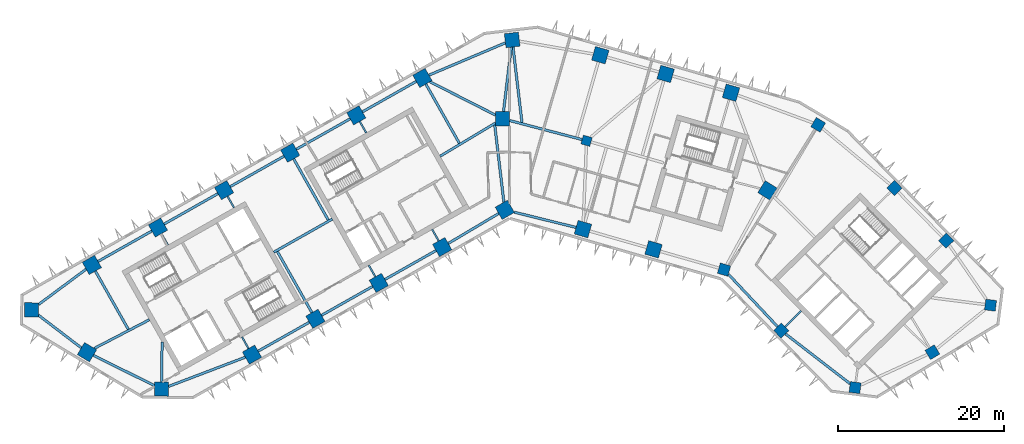
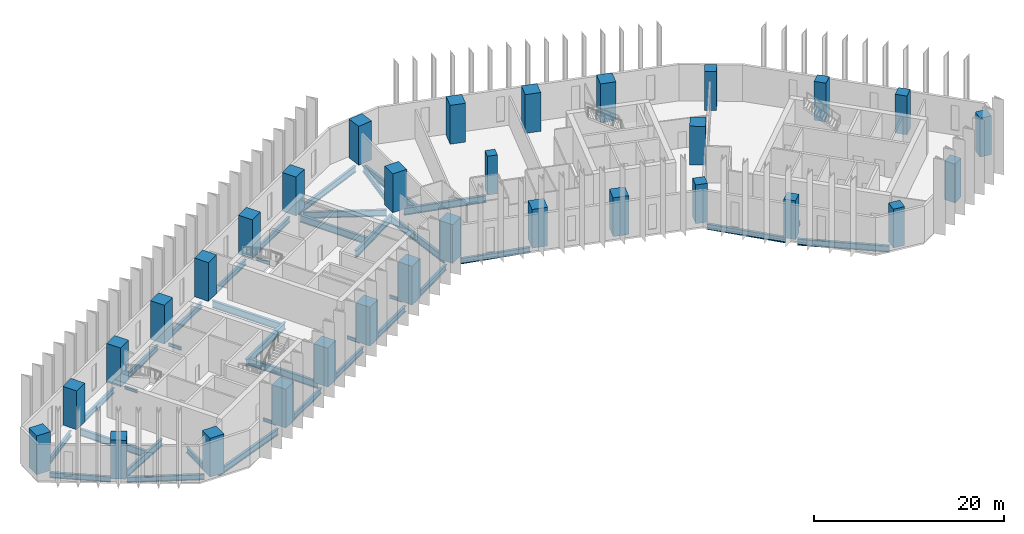
# One storey, part 1 of 11: 37 beams, 31 columns.
"""IFC4 building model written with IfcOpenShell, lengths in metres."""

import ifcopenshell
import ifcopenshell.guid

model = None  # the IFC model being written
_history = None  # IfcOwnerHistory: only IFC2X3 demands one
_inside = {}  # id of a spatial element -> (the spatial element, [elements in it])
_under = {}  # id of a project, library or spatial element -> (it, [spatial elements below it])
_declared = {}  # id of a project -> (the project, [libraries it declares])
_typed = {}  # id of a type object -> (the type object, [elements of that type])
_made_of = {}  # id of a material, layer set ... -> (it, [elements and type objects made of it])


def new_model(schema):
    """Start an empty IFC model of exactly this schema.

    Asked for "IFC4X3", IfcOpenShell would pick the latest addendum, in which some entities
    have other attributes; the version numbers below select the first issue.
    IFC2X3 requires an IfcOwnerHistory on every rooted entity: one is made here for all.
    """
    global model, _history
    if schema == "IFC4X3":
        model = ifcopenshell.file(schema_version=(4, 3, 0, 0))
    else:
        model = ifcopenshell.file(schema=schema)
    _inside.clear()
    _under.clear()
    _declared.clear()
    _typed.clear()
    _made_of.clear()
    _history = None
    if model.schema == "IFC2X3":
        org = make("IfcOrganization", Name="unknown")
        user = make(
            "IfcPersonAndOrganization",
            ThePerson=make("IfcPerson", FamilyName="unknown"),
            TheOrganization=org,
        )
        app = make(
            "IfcApplication",
            ApplicationDeveloper=org,
            Version="unknown",
            ApplicationFullName="unknown",
            ApplicationIdentifier="unknown",
        )
        _history = make(
            "IfcOwnerHistory",
            OwningUser=user,
            OwningApplication=app,
            ChangeAction="ADDED",
            CreationDate=0,
        )
    return model


def make(cls, **values):
    """One entity of the class cls with the attributes given. An attribute that is None is left unset."""
    return model.create_entity(
        cls, **{name: value for name, value in values.items() if value is not None}
    )


def rooted(cls, **values):
    """An entity with a GlobalId (a new one), such as an element, a storey or a relation."""
    return make(cls, GlobalId=ifcopenshell.guid.new(), OwnerHistory=_history, **values)


def si_unit(unit_type, name, prefix=None):
    """IfcSIUnit, for example si_unit("LENGTHUNIT", "METRE", prefix="MILLI")."""
    return make("IfcSIUnit", UnitType=unit_type, Prefix=prefix, Name=name)


def assignment(units):
    """IfcUnitAssignment: the units of a project."""
    return None if units is None else make("IfcUnitAssignment", Units=units)


def point(xyz):
    """IfcCartesianPoint."""
    return None if xyz is None else make("IfcCartesianPoint", Coordinates=xyz)


def direction(xyz):
    """IfcDirection."""
    return None if xyz is None else make("IfcDirection", DirectionRatios=xyz)


def frame(location, z_axis=None, x_axis=None):
    """IfcAxis2Placement3D, a coordinate frame: its origin and axes. An axis left out is left unset."""
    return make(
        "IfcAxis2Placement3D",
        Location=point(location),
        Axis=direction(z_axis),
        RefDirection=direction(x_axis),
    )


def frame_2d(location, x_axis=None):
    """IfcAxis2Placement2D, a coordinate frame in the plane: its origin and x axis."""
    return make(
        "IfcAxis2Placement2D", Location=point(location), RefDirection=direction(x_axis)
    )


def origin():
    """The frame at (0, 0, 0) with its axes left unset."""
    return frame((0.0, 0.0, 0.0))


def origin_2d():
    """The frame at (0, 0) in the plane with its x axis left unset."""
    return frame_2d((0.0, 0.0))


def place(relative_to, where):
    """IfcLocalPlacement: puts the frame where relative to a parent placement (None: the world)."""
    return make(
        "IfcLocalPlacement", PlacementRelTo=relative_to, RelativePlacement=where
    )


def context(
    kind, dimensions, precision=None, world=None, true_north=None, identifier=None
):
    """IfcGeometricRepresentationContext, for example the 3D "Model" context."""
    return make(
        "IfcGeometricRepresentationContext",
        ContextIdentifier=identifier,
        ContextType=kind,
        CoordinateSpaceDimension=dimensions,
        Precision=precision,
        WorldCoordinateSystem=world,
        TrueNorth=true_north,
    )


def subcontext(parent, identifier, kind, view, scale=None):
    """IfcGeometricRepresentationSubContext, for example "Body" below "Model"."""
    return make(
        "IfcGeometricRepresentationSubContext",
        ContextIdentifier=identifier,
        ContextType=kind,
        ParentContext=parent,
        TargetScale=scale,
        TargetView=view,
    )


def project(units=None, contexts=None):
    """IfcProject with its units and contexts."""
    return rooted(
        "IfcProject",
        Name="project",
        RepresentationContexts=contexts,
        UnitsInContext=assignment(units),
    )


def spatial(cls, under=None, at=None, **own):
    """A site, building, storey or space (cls), placed at a placement, below another one or the project."""
    s = rooted(cls, ObjectPlacement=at, **own)
    if under is not None:
        _under.setdefault(under.id(), (under, []))[1].append(s)
    return s


def profile(cls, at=None, kind="AREA", **sizes):
    """A parametric profile (cls). Its sizes go by their IFC names, for example OverallWidth=200.0."""
    return make(cls, ProfileType=kind, Position=at, **sizes)


def rectangle(**sizes):
    """IfcRectangleProfileDef."""
    return profile("IfcRectangleProfileDef", **sizes)


def i_section(**sizes):
    """IfcIShapeProfileDef."""
    return profile("IfcIShapeProfileDef", **sizes)


def extrude(swept, where, along, depth):
    """IfcExtrudedAreaSolid: the profile swept, set in the frame where, extruded along a direction by depth."""
    return make(
        "IfcExtrudedAreaSolid",
        SweptArea=swept,
        Position=where,
        ExtrudedDirection=direction(along),
        Depth=depth,
    )


def shape(context_of_items, identifier, shape_type, items):
    """IfcShapeRepresentation: the items that make up one representation, for example the "Body"."""
    return make(
        "IfcShapeRepresentation",
        ContextOfItems=context_of_items,
        RepresentationIdentifier=identifier,
        RepresentationType=shape_type,
        Items=items,
    )


def material(Name=None, Category=None):
    """IfcMaterial."""
    return make("IfcMaterial", Name=Name, Category=Category)


def material_profile(
    of_material, cross_section, Name=None, Category=None, Priority=None
):
    """IfcMaterialProfile: a cross section and its material."""
    return make(
        "IfcMaterialProfile",
        Name=Name,
        Material=of_material,
        Profile=cross_section,
        Priority=Priority,
        Category=Category,
    )


def profile_set(profiles, Name=None, composite=None):
    """IfcMaterialProfileSet."""
    return make(
        "IfcMaterialProfileSet",
        Name=Name,
        MaterialProfiles=profiles,
        CompositeProfile=composite,
    )


def made_of(thing, what):
    """Note that an element or type object is made of a material, layer set ...; save() writes the relation."""
    if what is not None:
        _made_of.setdefault(what.id(), (what, []))[1].append(thing)
    return thing


def type_object(cls, material=None, **own):
    """A type object (cls), such as IfcWallType, which elements share."""
    return made_of(rooted(cls, **own), material)


def element(
    cls,
    number,
    at=None,
    inside=None,
    cuts=None,
    type_object=None,
    material=None,
    context=None,
    identifier="Body",
    shape_type=None,
    held_by="IfcProductDefinitionShape",
    body=None,
    shapes=None,
    **own,
):
    """One element of the class cls, such as IfcWall. Its Tag is "e" and its number.

    at: its placement. inside: the storey or other place that contains it. cuts: it is an
    opening in that element (IfcRelVoidsElement). A single representation is given by context,
    identifier, shape_type and body (its items); several are given by shapes. held_by: the class
    of the entity that holds the representations. save() writes the other relations.
    """
    e = rooted(cls, Tag="e%d" % number, ObjectPlacement=at, **own)
    if body is not None:
        shapes = [shape(context, identifier, shape_type, body)]
    if shapes is not None:
        e.Representation = make(held_by, Representations=shapes)
    if inside is not None:
        _inside.setdefault(inside.id(), (inside, []))[1].append(e)
    if cuts is not None:
        rooted(
            "IfcRelVoidsElement", RelatingBuildingElement=cuts, RelatedOpeningElement=e
        )
    if type_object is not None:
        _typed.setdefault(type_object.id(), (type_object, []))[1].append(e)
    return made_of(e, material)


def aggregate(whole, parts):
    """IfcRelAggregates: a whole, such as a stair, and the parts it consists of."""
    return rooted("IfcRelAggregates", RelatingObject=whole, RelatedObjects=parts)


def save(model, path):
    """Write the relations noted so far, then the file.

    IfcRelAggregates (storeys below a building ...), IfcRelContainedInSpatialStructure (elements
    in a storey), IfcRelDefinesByType, IfcRelAssociatesMaterial and IfcRelDeclares: one each for
    every whole, place, type object, material and project.
    """
    for whole, parts in _under.values():
        aggregate(whole, parts)
    for where, things in _inside.values():
        rooted(
            "IfcRelContainedInSpatialStructure",
            RelatedElements=things,
            RelatingStructure=where,
        )
    for kind, things in _typed.values():
        rooted("IfcRelDefinesByType", RelatedObjects=things, RelatingType=kind)
    for what, things in _made_of.values():
        rooted("IfcRelAssociatesMaterial", RelatedObjects=things, RelatingMaterial=what)
    for by, libraries in _declared.values():
        rooted("IfcRelDeclares", RelatingContext=by, RelatedDefinitions=libraries)
    model.write(path)


model = new_model("IFC4")

# Units and contexts
model_context = context("Model", 3, precision=1e-05, world=origin(), true_north=direction((0.0, 1.0)))
body_context = subcontext(model_context, "Body", "Model", "MODEL_VIEW")
ifc_project = project(units=[si_unit("LENGTHUNIT", "METRE"), si_unit("AREAUNIT", "SQUARE_METRE"), si_unit("VOLUMEUNIT", "CUBIC_METRE"), si_unit("PLANEANGLEUNIT", "RADIAN"), si_unit("MASSUNIT", "GRAM", prefix="KILO")], contexts=[model_context])

# Site, building, storey
site_placement = place(None, origin())
site = spatial("IfcSite", under=ifc_project, at=site_placement, CompositionType="ELEMENT")
building_placement = place(site_placement, origin())
building = spatial("IfcBuilding", under=site, at=building_placement, Name="Binnacle Exchange Tower", CompositionType="ELEMENT")
storey_placement = place(building_placement, frame((0.0, 0.0, 76.5)))
storey = spatial("IfcBuildingStorey", under=building, at=storey_placement, Name="L15", CompositionType="ELEMENT", Elevation=76.5)

# Columns
ifc_material_1 = material(Name="Concrete C60/75", Category="concrete")
ifc_material_profile_1 = material_profile(ifc_material_1, rectangle(XDim=1.10009765625, YDim=1.10009765625, at=origin_2d()), Name="Column 1100x1100 C60/75")
ifc_profile_set_1 = profile_set([ifc_material_profile_1], Name="Concrete C60/75")
column_type_1 = type_object("IfcColumnType", Name="Column 1100x1100 C60/75", PredefinedType="COLUMN", material=ifc_profile_set_1)
column_placement = place(storey_placement, frame((9.240966796875, 57.35009765625, 0.0), z_axis=(0.0, 0.0, 1.0), x_axis=(0.961261695938, -0.275637355817, 0.0)))
element("IfcColumn", 1, at=column_placement, inside=storey, type_object=column_type_1, Name="S:COL:C19:L15", PredefinedType="COLUMN", context=body_context, shape_type="SweptSolid", body=[
    extrude(rectangle(XDim=1.10009765625, YDim=1.10009765625, at=origin_2d()), origin(), (0.0, 0.0, 1.0), 5.0),
])
ifc_material_2 = material(Name="Concrete C70/85", Category="concrete")
ifc_material_profile_2 = material_profile(ifc_material_2, rectangle(XDim=1.300048828125, YDim=1.300048828125, at=origin_2d()), Name="Mega column 1300x1300 C70/85")
ifc_profile_set_2 = profile_set([ifc_material_profile_2], Name="Concrete C70/85")
column_type_2 = type_object("IfcColumnType", Name="Mega column 1300x1300 C70/85", PredefinedType="COLUMN", material=ifc_profile_set_2)
for number, where, z_axis, x_axis, name in (
    (2, (37.0849609375, 59.262451171875, 0.0), (0.0, 0.0, 1.0), (-0.859406411501, 0.511293086077, 0.0), "S:COL:MC57:L15"),
    (3, (25.766845703125, 41.85986328125, 0.0), (0.0, 0.0, 1.0), (0.961261695938, -0.275637355817, 0.0), "S:COL:MC56:L15"),
    (4, (32.64111328125, 34.530029296875, 0.0), (0.0, 0.0, 1.0), (0.7009092643, -0.713250449154, 0.0), "S:COL:MC59:L15"),
    (5, (41.519775390625, 27.6748046875, 0.0), (0.0, 0.0, 1.0), (0.99200494968, -0.126198969136, 0.0), "S:COL:MC61:L15"),
    (6, (50.81201171875, 31.930908203125, 0.0), (0.0, 0.0, 1.0), (0.857167300702, 0.51503807491, 0.0), "S:COL:MC63:L15"),
    (7, (57.799072265625, 37.5810546875, 0.0), (0.0, 0.0, 1.0), (0.126198969136, 0.99200494968, 0.0), "S:COL:MC62:L15"),
    (8, (52.466796875, 45.33935546875, 0.0), (0.0, 0.0, 1.0), (-0.7009092643, 0.713250449154, 0.0), "S:COL:MC60:L15"),
    (9, (46.248291015625, 51.667236328125, 0.0), (0.0, 0.0, 1.0), (-0.7009092643, 0.713250449154, 0.0), "S:COL:MC58:L15"),
):
    element("IfcColumn", number, at=place(storey_placement, frame(where, z_axis=z_axis, x_axis=x_axis)), inside=storey, type_object=column_type_2, Name=name, PredefinedType="COLUMN", context=body_context, shape_type="SweptSolid", body=[
        extrude(rectangle(XDim=1.300048828125, YDim=1.300048828125, at=origin_2d()), origin(), (0.0, 0.0, 1.0), 5.0),
    ])
ifc_material_profile_3 = material_profile(ifc_material_2, rectangle(XDim=1.699951171875, YDim=1.699951171875, at=origin_2d()), Name="Mega column 1700x1700 C70/85")
ifc_profile_set_3 = profile_set([ifc_material_profile_3], Name="Concrete C70/85")
column_type_3 = type_object("IfcColumnType", Name="Mega column 1700x1700 C70/85", PredefinedType="COLUMN", material=ifc_profile_set_3)
for number, where, z_axis, x_axis, name in (
    (10, (26.602783203125, 63.12353515625, 0.0), (0.0, 0.0, 1.0), (-0.961261695938, 0.275637355817, 0.0), "S:COL:MC52:L15"),
    (11, (18.746337890625, 65.376220703125, 0.0), (0.0, 0.0, 1.0), (-0.961261695938, 0.275637355817, 0.0), "S:COL:MC50:L15"),
    (12, (10.889892578125, 67.62890625, 0.0), (0.0, 0.0, 1.0), (-0.961261695938, 0.275637355817, 0.0), "S:COL:MC48:L15"),
    (13, (0.300048828125, 69.464111328125, 0.0), (0.0, 0.0, 1.0), (-0.993068456955, -0.117537397458, 0.0), "S:COL:MC47:L15"),
    (14, (-10.4951171875, 64.901611328125, 0.0), (0.0, 0.0, 1.0), (-0.87035569594, -0.492423560103, 0.0), "S:COL:MC38:L15"),
    (15, (-18.44140625, 60.406005859375, 0.0), (0.0, 0.0, 1.0), (-0.87035569594, -0.492423560103, 0.0), "S:COL:MC29:L15"),
    (16, (-26.3876953125, 55.91015625, 0.0), (0.0, 0.0, 1.0), (-0.87035569594, -0.492423560103, 0.0), "S:COL:MC21:L15"),
    (17, (-34.333740234375, 51.414306640625, 0.0), (0.0, 0.0, 1.0), (-0.87035569594, -0.492423560103, 0.0), "S:COL:MC13:L15"),
    (18, (-42.280029296875, 46.918701171875, 0.0), (0.0, 0.0, 1.0), (-0.87035569594, -0.492423560103, 0.0), "S:COL:MC08:L15"),
    (19, (-50.226318359375, 42.4228515625, 0.0), (0.0, 0.0, 1.0), (-0.87035569594, -0.492423560103, 0.0), "S:COL:MC04:L15"),
    (20, (-57.492919921875, 37.02734375, 0.0), (0.0, 0.0, 1.0), (-0.013089595571, -0.999914327574, 0.0), "S:COL:MC02:L15"),
    (21, (-50.81201171875, 31.930908203125, 0.0), (0.0, 0.0, 1.0), (0.857167300702, -0.51503807491, 0.0), "S:COL:MC01:L15"),
    (22, (-41.857666015625, 27.494873046875, 0.0), (0.0, 0.0, 1.0), (0.999914327574, -0.013089595571, 0.0), "S:COL:MC03:L15"),
    (23, (-30.9755859375, 31.63525390625, 0.0), (0.0, 0.0, 1.0), (0.87035569594, 0.492423560103, 0.0), "S:COL:MC07:L15"),
    (24, (-23.35595703125, 35.9462890625, 0.0), (0.0, 0.0, 1.0), (0.87035569594, 0.492423560103, 0.0), "S:COL:MC16:L15"),
    (25, (-15.736328125, 40.257080078125, 0.0), (0.0, 0.0, 1.0), (0.87035569594, 0.492423560103, 0.0), "S:COL:MC24:L15"),
    (26, (-8.116943359375, 44.568115234375, 0.0), (0.0, 0.0, 1.0), (0.87035569594, 0.492423560103, 0.0), "S:COL:MC35:L15"),
    (27, (-0.5908203125, 49.04443359375, 0.0), (0.0, 0.0, 1.0), (0.87035569594, 0.492423560103, 0.0), "S:COL:MC46:L15"),
    (28, (8.8095703125, 46.722412109375, 0.0), (0.0, 0.0, 1.0), (0.961261695938, -0.275637355817, 0.0), "S:COL:MC49:L15"),
    (29, (17.2880859375, 44.291015625, 0.0), (0.0, 0.0, 1.0), (0.961261695938, -0.275637355817, 0.0), "S:COL:MC51:L15"),
    (30, (30.989501953125, 51.38623046875, 0.0), (0.0, 0.0, 1.0), (0.529919264233, 0.848048096156, 0.0), "S:COL:MC55:L15"),
    (31, (-0.85009765625, 60.0, 0.0), (0.0, 0.0, 1.0), (0.0, 1.0, 0.0), "S:COL:MC45:L15"),
):
    element("IfcColumn", number, at=place(storey_placement, frame(where, z_axis=z_axis, x_axis=x_axis)), inside=storey, type_object=column_type_3, Name=name, PredefinedType="COLUMN", context=body_context, shape_type="SweptSolid", body=[
        extrude(rectangle(XDim=1.699951171875, YDim=1.699951171875, at=origin_2d()), origin(), (0.0, 0.0, 1.0), 5.0),
    ])

# Beams
ifc_material_3 = material(Name="Steel S355 (SHN355)", Category="steel")
ifc_material_profile_4 = material_profile(ifc_material_3, i_section(OverallWidth=0.300048828125, OverallDepth=0.699951171875, WebThickness=0.012939453125, FlangeThickness=0.02392578125, FilletRadius=0.028076171875, at=origin_2d()), Name="H 700x300x13x24")
ifc_profile_set_4 = profile_set([ifc_material_profile_4], Name="Steel S355 (SHN355)")
beam_type_1 = type_object("IfcBeamType", Name="Edge girder H 700x300x13x24 Steel S355 (SHN355)", PredefinedType="SPANDREL", material=ifc_profile_set_4)
beam_1_placement = place(storey_placement, frame((-56.6513671875, 36.38525390625, -0.669921875), z_axis=(0.795093040263, -0.606487474994, 0.0), x_axis=(0.606487474994, 0.795093040263, 0.0)))
element("IfcBeam", 32, at=beam_1_placement, inside=storey, type_object=beam_type_1, Name="S:BM:edge:L15:015", PredefinedType="SPANDREL", context=body_context, shape_type="SweptSolid", body=[
    extrude(i_section(OverallWidth=0.300048828125, OverallDepth=0.699951171875, WebThickness=0.012939453125, FlangeThickness=0.02392578125, FilletRadius=0.028076171875, at=origin_2d()), origin(), (0.0, 0.0, 1.0), 6.489013671875),
])
beam_2_placement = place(storey_placement, frame((-50.913818359375, 41.912353515625, -0.669921875), z_axis=(-0.80288535334, -0.59613346609, 0.0), x_axis=(0.59613346609, -0.80288535334, 0.0)))
element("IfcBeam", 33, at=beam_2_placement, inside=storey, type_object=beam_type_1, Name="S:BM:edge:L15:016", PredefinedType="SPANDREL", context=body_context, shape_type="SweptSolid", body=[
    extrude(i_section(OverallWidth=0.300048828125, OverallDepth=0.699951171875, WebThickness=0.012939453125, FlangeThickness=0.02392578125, FilletRadius=0.028076171875, at=origin_2d()), origin(), (0.0, 0.0, 1.0), 7.125244140625),
])
beam_3_placement = place(storey_placement, frame((-43.019775390625, 46.5, -0.669921875), z_axis=(-0.870364477798, -0.492408037898, 0.0), x_axis=(0.492408037898, -0.870364477798, 0.0)))
element("IfcBeam", 34, at=beam_3_placement, inside=storey, type_object=beam_type_1, Name="S:BM:edge:L15:018", PredefinedType="SPANDREL", context=body_context, shape_type="SweptSolid", body=[
    extrude(i_section(OverallWidth=0.300048828125, OverallDepth=0.699951171875, WebThickness=0.012939453125, FlangeThickness=0.02392578125, FilletRadius=0.028076171875, at=origin_2d()), origin(), (0.0, 0.0, 1.0), 7.4296875),
])
beam_4_placement = place(storey_placement, frame((-35.073486328125, 50.995849609375, -0.669921875), z_axis=(-0.870372444894, -0.492393955253, 0.0), x_axis=(0.492393955253, -0.870372444894, 0.0)))
element("IfcBeam", 35, at=beam_4_placement, inside=storey, type_object=beam_type_1, Name="S:BM:edge:L15:020", PredefinedType="SPANDREL", context=body_context, shape_type="SweptSolid", body=[
    extrude(i_section(OverallWidth=0.300048828125, OverallDepth=0.699951171875, WebThickness=0.012939453125, FlangeThickness=0.02392578125, FilletRadius=0.028076171875, at=origin_2d()), origin(), (0.0, 0.0, 1.0), 7.429931640625),
])
beam_5_placement = place(storey_placement, frame((-30.23583984375, 32.053955078125, -0.669921875), z_axis=(0.870373276953, 0.492392484473, 0.0), x_axis=(-0.492392484473, 0.870373276953, 0.0)))
element("IfcBeam", 36, at=beam_5_placement, inside=storey, type_object=beam_type_1, Name="S:BM:edge:L15:021", PredefinedType="SPANDREL", context=body_context, shape_type="SweptSolid", body=[
    extrude(i_section(OverallWidth=0.300048828125, OverallDepth=0.699951171875, WebThickness=0.012939453125, FlangeThickness=0.02392578125, FilletRadius=0.028076171875, at=origin_2d()), origin(), (0.0, 0.0, 1.0), 7.0546875),
])
beam_6_placement = place(storey_placement, frame((-27.12744140625, 55.49169921875, -0.669921875), z_axis=(-0.870350394687, -0.492432929919, 0.0), x_axis=(0.492432929919, -0.870350394687, 0.0)))
element("IfcBeam", 37, at=beam_6_placement, inside=storey, type_object=beam_type_1, Name="S:BM:edge:L15:022", PredefinedType="SPANDREL", context=body_context, shape_type="SweptSolid", body=[
    extrude(i_section(OverallWidth=0.300048828125, OverallDepth=0.699951171875, WebThickness=0.012939453125, FlangeThickness=0.02392578125, FilletRadius=0.028076171875, at=origin_2d()), origin(), (0.0, 0.0, 1.0), 7.429931640625),
])
beam_7_placement = place(storey_placement, frame((-22.6162109375, 36.36474609375, -0.669921875), z_axis=(0.870350053651, 0.492433532681, 0.0), x_axis=(-0.492433532681, 0.870350053651, 0.0)))
element("IfcBeam", 38, at=beam_7_placement, inside=storey, type_object=beam_type_1, Name="S:BM:edge:L15:023", PredefinedType="SPANDREL", context=body_context, shape_type="SweptSolid", body=[
    extrude(i_section(OverallWidth=0.300048828125, OverallDepth=0.699951171875, WebThickness=0.012939453125, FlangeThickness=0.02392578125, FilletRadius=0.028076171875, at=origin_2d()), origin(), (0.0, 0.0, 1.0), 7.054443359375),
])
beam_8_placement = place(storey_placement, frame((-19.18115234375, 59.9873046875, -0.669921875), z_axis=(-0.870364477798, -0.492408037898, 0.0), x_axis=(0.492408037898, -0.870364477798, 0.0)))
element("IfcBeam", 39, at=beam_8_placement, inside=storey, type_object=beam_type_1, Name="S:BM:edge:L15:024", PredefinedType="SPANDREL", context=body_context, shape_type="SweptSolid", body=[
    extrude(i_section(OverallWidth=0.300048828125, OverallDepth=0.699951171875, WebThickness=0.012939453125, FlangeThickness=0.02392578125, FilletRadius=0.028076171875, at=origin_2d()), origin(), (0.0, 0.0, 1.0), 7.4296875),
])
beam_9_placement = place(storey_placement, frame((-14.99658203125, 40.67578125, -0.669921875), z_axis=(0.870364886025, 0.492407316329, 0.0), x_axis=(-0.492407316329, 0.870364886025, 0.0)))
element("IfcBeam", 40, at=beam_9_placement, inside=storey, type_object=beam_type_1, Name="S:BM:edge:L15:025", PredefinedType="SPANDREL", context=body_context, shape_type="SweptSolid", body=[
    extrude(i_section(OverallWidth=0.300048828125, OverallDepth=0.699951171875, WebThickness=0.012939453125, FlangeThickness=0.02392578125, FilletRadius=0.028076171875, at=origin_2d()), origin(), (0.0, 0.0, 1.0), 7.054443359375),
])
beam_10_placement = place(storey_placement, frame((-11.23486328125, 64.483154296875, -0.669921875), z_axis=(-0.870364477798, -0.492408037898, 0.0), x_axis=(0.492408037898, -0.870364477798, 0.0)))
element("IfcBeam", 41, at=beam_10_placement, inside=storey, type_object=beam_type_1, Name="S:BM:edge:L15:026", PredefinedType="SPANDREL", context=body_context, shape_type="SweptSolid", body=[
    extrude(i_section(OverallWidth=0.300048828125, OverallDepth=0.699951171875, WebThickness=0.012939453125, FlangeThickness=0.02392578125, FilletRadius=0.028076171875, at=origin_2d()), origin(), (0.0, 0.0, 1.0), 7.4296875),
])
beam_11_placement = place(storey_placement, frame((-7.38623046875, 45.002685546875, -0.669921875), z_axis=(0.859464815262, 0.511194905419, 0.0), x_axis=(-0.511194905419, 0.859464815262, 0.0)))
element("IfcBeam", 42, at=beam_11_placement, inside=storey, type_object=beam_type_1, Name="S:BM:edge:L15:027", PredefinedType="SPANDREL", context=body_context, shape_type="SweptSolid", body=[
    extrude(i_section(OverallWidth=0.300048828125, OverallDepth=0.699951171875, WebThickness=0.012939453125, FlangeThickness=0.02392578125, FilletRadius=0.028076171875, at=origin_2d()), origin(), (0.0, 0.0, 1.0), 7.056396484375),
])
beam_12_placement = place(storey_placement, frame((0.54443359375, 48.763916015625, -0.669921875), z_axis=(0.970818997342, -0.239813415805, 0.0), x_axis=(0.239813415805, 0.970818997342, 0.0)))
element("IfcBeam", 43, at=beam_12_placement, inside=storey, type_object=beam_type_1, Name="S:BM:edge:L15:029", PredefinedType="SPANDREL", context=body_context, shape_type="SweptSolid", body=[
    extrude(i_section(OverallWidth=0.300048828125, OverallDepth=0.699951171875, WebThickness=0.012939453125, FlangeThickness=0.02392578125, FilletRadius=0.028076171875, at=origin_2d()), origin(), (0.0, 0.0, 1.0), 7.662841796875),
])
ifc_material_profile_5 = material_profile(ifc_material_3, i_section(OverallWidth=0.302001953125, OverallDepth=0.7080078125, WebThickness=0.014892578125, FlangeThickness=0.028076171875, FilletRadius=0.028076171875, at=origin_2d()), Name="H 708x302x15x28")
ifc_profile_set_5 = profile_set([ifc_material_profile_5], Name="Steel S355 (SHN355)")
beam_type_2 = type_object("IfcBeamType", Name="Edge girder H 708x302x15x28 Steel S355 (SHN355)", PredefinedType="SPANDREL", material=ifc_profile_set_5)
beam_13_placement = place(storey_placement, frame((-50.0478515625, 31.55224609375, -0.674072265625), z_axis=(0.896059216286, -0.443934545749, 0.0), x_axis=(0.443934545749, 0.896059216286, 0.0)))
element("IfcBeam", 44, at=beam_13_placement, inside=storey, type_object=beam_type_2, Name="S:BM:edge:L15:017", PredefinedType="SPANDREL", context=body_context, shape_type="SweptSolid", body=[
    extrude(i_section(OverallWidth=0.302001953125, OverallDepth=0.7080078125, WebThickness=0.014892578125, FlangeThickness=0.028076171875, FilletRadius=0.028076171875, at=origin_2d()), origin(), (0.0, 0.0, 1.0), 8.197509765625),
])
beam_14_placement = place(storey_placement, frame((26.284912109375, 41.3076171875, -0.674072265625), z_axis=(0.684056711164, -0.729428828544, 0.0), x_axis=(0.729428828544, 0.684056711164, 0.0)))
element("IfcBeam", 45, at=beam_14_placement, inside=storey, type_object=beam_type_2, Name="S:BM:edge:L15:035", PredefinedType="SPANDREL", context=body_context, shape_type="SweptSolid", body=[
    extrude(i_section(OverallWidth=0.302001953125, OverallDepth=0.7080078125, WebThickness=0.014892578125, FlangeThickness=0.028076171875, FilletRadius=0.028076171875, at=origin_2d()), origin(), (0.0, 0.0, 1.0), 8.6416015625),
])
ifc_material_profile_6 = material_profile(ifc_material_3, i_section(OverallWidth=0.302001953125, OverallDepth=0.80810546875, WebThickness=0.01611328125, FlangeThickness=0.030029296875, FilletRadius=0.028076171875, at=origin_2d()), Name="H 808x302x16x30")
ifc_profile_set_6 = profile_set([ifc_material_profile_6], Name="Steel S355 (SHN355)")
beam_type_3 = type_object("IfcBeamType", Name="Edge girder H 808x302x16x30 Steel S355 (SHN355)", PredefinedType="SPANDREL", material=ifc_profile_set_6)
beam_15_placement = place(storey_placement, frame((-41.00341796875, 27.81982421875, -0.72412109375), z_axis=(0.934628738252, 0.355624973297, 0.0), x_axis=(-0.355624973297, 0.934628738252, 0.0)))
element("IfcBeam", 46, at=beam_15_placement, inside=storey, type_object=beam_type_3, Name="S:BM:edge:L15:019", PredefinedType="SPANDREL", context=body_context, shape_type="SweptSolid", body=[
    extrude(i_section(OverallWidth=0.302001953125, OverallDepth=0.80810546875, WebThickness=0.01611328125, FlangeThickness=0.030029296875, FilletRadius=0.028076171875, at=origin_2d()), origin(), (0.0, 0.0, 1.0), 9.869384765625),
])
beam_16_placement = place(storey_placement, frame((-0.51513671875, 69.11962890625, -0.72412109375), z_axis=(-0.921111373297, -0.389299162578, 0.0), x_axis=(0.389299162578, -0.921111373297, 0.0)))
element("IfcBeam", 47, at=beam_16_placement, inside=storey, type_object=beam_type_3, Name="S:BM:edge:L15:028", PredefinedType="SPANDREL", context=body_context, shape_type="SweptSolid", body=[
    extrude(i_section(OverallWidth=0.302001953125, OverallDepth=0.80810546875, WebThickness=0.01611328125, FlangeThickness=0.030029296875, FilletRadius=0.028076171875, at=origin_2d()), origin(), (0.0, 0.0, 1.0), 9.978759765625),
])
beam_17_placement = place(storey_placement, frame((33.160400390625, 34.12890625, -0.72412109375), z_axis=(0.791533490776, -0.611125791454, 0.0), x_axis=(0.611125791454, 0.791533490776, 0.0)))
element("IfcBeam", 48, at=beam_17_placement, inside=storey, type_object=beam_type_3, Name="S:BM:edge:L15:036", PredefinedType="SPANDREL", context=body_context, shape_type="SweptSolid", body=[
    extrude(i_section(OverallWidth=0.302001953125, OverallDepth=0.80810546875, WebThickness=0.01611328125, FlangeThickness=0.030029296875, FilletRadius=0.028076171875, at=origin_2d()), origin(), (0.0, 0.0, 1.0), 9.80712890625),
])
ifc_material_profile_7 = material_profile(ifc_material_3, i_section(OverallWidth=0.199951171875, OverallDepth=0.39990234375, WebThickness=0.008056640625, FlangeThickness=0.012939453125, FilletRadius=0.01611328125, at=origin_2d()), Name="H 400x200x8x13")
ifc_profile_set_7 = profile_set([ifc_material_profile_7], Name="Steel S355 (SHN355)")
beam_type_4 = type_object("IfcBeamType", Name="Floor beam H 400x200x8x13 Steel S355 (SHN355)", PredefinedType="BEAM", material=ifc_profile_set_7)
beam_18_placement = place(storey_placement, frame((-41.861328125, 46.178955078125, -0.52001953125), z_axis=(0.492366981934, -0.870387703901, 0.0), x_axis=(0.870387703901, 0.492366981934, 0.0)))
element("IfcBeam", 49, at=beam_18_placement, inside=storey, type_object=beam_type_4, Name="S:BM:cross:L15:044", PredefinedType="BEAM", context=body_context, shape_type="SweptSolid", body=[
    extrude(i_section(OverallWidth=0.199951171875, OverallDepth=0.39990234375, WebThickness=0.008056640625, FlangeThickness=0.012939453125, FilletRadius=0.01611328125, at=origin_2d()), origin(), (0.0, 0.0, 1.0), 1.584228515625),
])
beam_19_placement = place(storey_placement, frame((-33.915283203125, 50.674560546875, -0.52001953125), z_axis=(0.492483715062, -0.870321659158, 0.0), x_axis=(0.870321659158, 0.492483715062, 0.0)))
element("IfcBeam", 50, at=beam_19_placement, inside=storey, type_object=beam_type_4, Name="S:BM:cross:L15:046", PredefinedType="BEAM", context=body_context, shape_type="SweptSolid", body=[
    extrude(i_section(OverallWidth=0.199951171875, OverallDepth=0.39990234375, WebThickness=0.008056640625, FlangeThickness=0.012939453125, FilletRadius=0.01611328125, at=origin_2d()), origin(), (0.0, 0.0, 1.0), 1.58447265625),
])
for number, where, z_axis, x_axis, name in (
    (51, (-31.394287109375, 32.375, -0.52001953125), (-0.492366981934, 0.870387703901, 0.0), (-0.870387703901, -0.492366981934, 0.0), "S:BM:cross:L15:047"),
    (52, (-18.022705078125, 59.666259765625, -0.52001953125), (0.492366981934, -0.870387703901, 0.0), (0.870387703901, 0.492366981934, 0.0), "S:BM:cross:L15:050"),
    (53, (-16.155029296875, 40.9970703125, -0.52001953125), (-0.492366981934, 0.870387703901, 0.0), (-0.870387703901, -0.492366981934, 0.0), "S:BM:cross:L15:051"),
):
    element("IfcBeam", number, at=place(storey_placement, frame(where, z_axis=z_axis, x_axis=x_axis)), inside=storey, type_object=beam_type_4, Name=name, PredefinedType="BEAM", context=body_context, shape_type="SweptSolid", body=[
        extrude(i_section(OverallWidth=0.199951171875, OverallDepth=0.39990234375, WebThickness=0.008056640625, FlangeThickness=0.012939453125, FilletRadius=0.01611328125, at=origin_2d()), origin(), (0.0, 0.0, 1.0), 1.584228515625),
    ])
beam_20_placement = place(storey_placement, frame((-8.535400390625, 45.307861328125, -0.52001953125), z_axis=(-0.492483715062, 0.870321659158, 0.0), x_axis=(-0.870321659158, -0.492483715062, 0.0)))
element("IfcBeam", 54, at=beam_20_placement, inside=storey, type_object=beam_type_4, Name="S:BM:cross:L15:053", PredefinedType="BEAM", context=body_context, shape_type="SweptSolid", body=[
    extrude(i_section(OverallWidth=0.199951171875, OverallDepth=0.39990234375, WebThickness=0.008056640625, FlangeThickness=0.012939453125, FilletRadius=0.01611328125, at=origin_2d()), origin(), (0.0, 0.0, 1.0), 1.58447265625),
])
ifc_material_profile_8 = material_profile(ifc_material_3, i_section(OverallWidth=0.199951171875, OverallDepth=0.449951171875, WebThickness=0.009033203125, FlangeThickness=0.013916015625, FilletRadius=0.01806640625, at=origin_2d()), Name="H 450x200x9x14")
ifc_profile_set_8 = profile_set([ifc_material_profile_8], Name="Steel S355 (SHN355)")
beam_type_5 = type_object("IfcBeamType", Name="Floor beam H 450x200x9x14 Steel S355 (SHN355)", PredefinedType="BEAM", material=ifc_profile_set_8)
beam_21_placement = place(storey_placement, frame((33.104736328125, 34.985595703125, -0.544921875), z_axis=(0.713254209224, 0.700905438004, 0.0), x_axis=(-0.700905438004, 0.713254209224, 0.0)))
element("IfcBeam", 55, at=beam_21_placement, inside=storey, type_object=beam_type_5, Name="S:BM:cross:L15:061", PredefinedType="BEAM", context=body_context, shape_type="SweptSolid", body=[
    extrude(i_section(OverallWidth=0.199951171875, OverallDepth=0.449951171875, WebThickness=0.009033203125, FlangeThickness=0.013916015625, FilletRadius=0.01806640625, at=origin_2d()), origin(), (0.0, 0.0, 1.0), 2.70849609375),
])
ifc_material_profile_9 = material_profile(ifc_material_3, i_section(OverallWidth=0.300048828125, OverallDepth=0.699951171875, WebThickness=0.012939453125, FlangeThickness=0.02392578125, FilletRadius=0.028076171875, at=origin_2d()), Name="H 700x300x13x24")
ifc_profile_set_9 = profile_set([ifc_material_profile_9], Name="Steel S355 (SHN355)")
beam_type_6 = type_object("IfcBeamType", Name="Floor beam H 700x300x13x24 Steel S355 (SHN355)", PredefinedType="BEAM", material=ifc_profile_set_9)
beam_22_placement = place(storey_placement, frame((-41.8466796875, 28.3447265625, -0.669921875), z_axis=(0.013120628196, 0.999913920853, 0.0), x_axis=(-0.999913920853, 0.013120628196, 0.0)))
element("IfcBeam", 56, at=beam_22_placement, inside=storey, type_object=beam_type_6, Name="S:BM:cross:L15:045", PredefinedType="BEAM", context=body_context, shape_type="SweptSolid", body=[
    extrude(i_section(OverallWidth=0.300048828125, OverallDepth=0.699951171875, WebThickness=0.012939453125, FlangeThickness=0.02392578125, FilletRadius=0.028076171875, at=origin_2d()), origin(), (0.0, 0.0, 1.0), 4.80078125),
])
ifc_material_profile_10 = material_profile(ifc_material_3, i_section(OverallWidth=0.300048828125, OverallDepth=0.89990234375, WebThickness=0.01611328125, FlangeThickness=0.028076171875, FilletRadius=0.028076171875, at=origin_2d()), Name="H 900x300x16x28")
ifc_profile_set_10 = profile_set([ifc_material_profile_10], Name="Steel S355 (SHN355)")
beam_type_7 = type_object("IfcBeamType", Name="Floor beam H 900x300x16x28 Steel S355 (SHN355)", PredefinedType="BEAM", material=ifc_profile_set_10)
beam_23_placement = place(storey_placement, frame((-49.8076171875, 41.68310546875, -0.77001953125), z_axis=(0.492423370769, -0.87035580306, 0.0), x_axis=(0.87035580306, 0.492423370769, 0.0)))
element("IfcBeam", 57, at=beam_23_placement, inside=storey, type_object=beam_type_7, Name="S:BM:cross:L15:043", PredefinedType="BEAM", context=body_context, shape_type="SweptSolid", body=[
    extrude(i_section(OverallWidth=0.300048828125, OverallDepth=0.89990234375, WebThickness=0.01611328125, FlangeThickness=0.028076171875, FilletRadius=0.028076171875, at=origin_2d()), origin(), (0.0, 0.0, 1.0), 8.041259765625),
])
beam_24_placement = place(storey_placement, frame((-10.076416015625, 64.161865234375, -0.77001953125), z_axis=(0.492410737926, -0.870362950254, 0.0), x_axis=(0.870362950254, 0.492410737926, 0.0)))
element("IfcBeam", 58, at=beam_24_placement, inside=storey, type_object=beam_type_7, Name="S:BM:cross:L15:052", PredefinedType="BEAM", context=body_context, shape_type="SweptSolid", body=[
    extrude(i_section(OverallWidth=0.300048828125, OverallDepth=0.89990234375, WebThickness=0.01611328125, FlangeThickness=0.028076171875, FilletRadius=0.028076171875, at=origin_2d()), origin(), (0.0, 0.0, 1.0), 8.16943359375),
])
ifc_material_profile_11 = material_profile(ifc_material_3, i_section(OverallWidth=0.302001953125, OverallDepth=0.912109375, WebThickness=0.01806640625, FlangeThickness=0.033935546875, FilletRadius=0.028076171875, at=origin_2d()), Name="H 912x302x18x34")
ifc_profile_set_11 = profile_set([ifc_material_profile_11], Name="Steel S355 (SHN355)")
beam_type_8 = type_object("IfcBeamType", Name="Floor beam H 912x302x18x34 Steel S355 (SHN355)", PredefinedType="BEAM", material=ifc_profile_set_11)
for number, where, z_axis, x_axis, name in (
    (59, (-25.968994140625, 55.17041015625, -0.77587890625), (0.492409177884, -0.870363832851, 0.0), (0.870363832851, 0.492409177884, 0.0), "S:BM:cross:L15:048"),
    (60, (-23.774658203125, 36.68603515625, -0.77587890625), (-0.492409177884, 0.870363832851, 0.0), (-0.870363832851, -0.492409177884, 0.0), "S:BM:cross:L15:049"),
):
    element("IfcBeam", number, at=place(storey_placement, frame(where, z_axis=z_axis, x_axis=x_axis)), inside=storey, type_object=beam_type_8, Name=name, PredefinedType="BEAM", context=body_context, shape_type="SweptSolid", body=[
        extrude(i_section(OverallWidth=0.302001953125, OverallDepth=0.912109375, WebThickness=0.01806640625, FlangeThickness=0.033935546875, FilletRadius=0.028076171875, at=origin_2d()), origin(), (0.0, 0.0, 1.0), 8.43408203125),
    ])
ifc_material_profile_12 = material_profile(ifc_material_3, i_section(OverallWidth=0.302978515625, OverallDepth=0.91796875, WebThickness=0.01904296875, FlangeThickness=0.037109375, FilletRadius=0.028076171875, at=origin_2d()), Name="H 918x303x19x37")
ifc_profile_set_12 = profile_set([ifc_material_profile_12], Name="Steel S355 (SHN355)")
beam_type_9 = type_object("IfcBeamType", Name="Floor beam H 918x303x19x37 Steel S355 (SHN355)", PredefinedType="BEAM", material=ifc_profile_set_12)
beam_25_placement = place(storey_placement, frame((-0.69921875, 49.959716796875, -0.779052734375), z_axis=(-0.117528717449, 0.993069484263, 0.0), x_axis=(-0.993069484263, -0.117528717449, 0.0)))
element("IfcBeam", 61, at=beam_25_placement, inside=storey, type_object=beam_type_9, Name="S:BM:cross:L15:054", PredefinedType="BEAM", context=body_context, shape_type="SweptSolid", body=[
    extrude(i_section(OverallWidth=0.302978515625, OverallDepth=0.91796875, WebThickness=0.01904296875, FlangeThickness=0.037109375, FilletRadius=0.028076171875, at=origin_2d()), origin(), (0.0, 0.0, 1.0), 9.374755859375),
])
beam_26_placement = place(storey_placement, frame((0.39990234375, 68.6201171875, -0.779052734375), z_axis=(0.117562643201, -0.993065468599, 0.0), x_axis=(0.993065468599, 0.117562643201, 0.0)))
element("IfcBeam", 62, at=beam_26_placement, inside=storey, type_object=beam_type_9, Name="S:BM:cross:L15:055", PredefinedType="BEAM", context=body_context, shape_type="SweptSolid", body=[
    extrude(i_section(OverallWidth=0.302978515625, OverallDepth=0.91796875, WebThickness=0.01904296875, FlangeThickness=0.037109375, FilletRadius=0.028076171875, at=origin_2d()), origin(), (0.0, 0.0, 1.0), 9.14990234375),
])
ifc_material_profile_13 = material_profile(ifc_material_3, i_section(OverallWidth=0.302001953125, OverallDepth=0.7080078125, WebThickness=0.014892578125, FlangeThickness=0.028076171875, FilletRadius=0.028076171875, at=origin_2d()), Name="H 708x302x15x28")
ifc_profile_set_13 = profile_set([ifc_material_profile_13], Name="Steel S355 (SHN355)")
beam_type_10 = type_object("IfcBeamType", Name="Spine girder H 708x302x15x28 Steel S355 (SHN355)", PredefinedType="BEAM", material=ifc_profile_set_13)
beam_27_placement = place(storey_placement, frame((-0.74658203125, 60.85009765625, -0.674072265625), z_axis=(0.120621974738, 0.992698513755, 0.0), x_axis=(-0.992698513755, 0.120621974738, 0.0)))
element("IfcBeam", 63, at=beam_27_placement, inside=storey, type_object=beam_type_10, Name="S:BM:spine:L15:005", PredefinedType="BEAM", context=body_context, shape_type="SweptSolid", body=[
    extrude(i_section(OverallWidth=0.302001953125, OverallDepth=0.7080078125, WebThickness=0.014892578125, FlangeThickness=0.028076171875, FilletRadius=0.028076171875, at=origin_2d()), origin(), (0.0, 0.0, 1.0), 7.802490234375),
])
ifc_material_profile_14 = material_profile(ifc_material_3, i_section(OverallWidth=0.302001953125, OverallDepth=0.80810546875, WebThickness=0.01611328125, FlangeThickness=0.030029296875, FilletRadius=0.028076171875, at=origin_2d()), Name="H 808x302x16x30")
ifc_profile_set_14 = profile_set([ifc_material_profile_14], Name="Steel S355 (SHN355)")
beam_type_11 = type_object("IfcBeamType", Name="Spine girder H 808x302x16x30 Steel S355 (SHN355)", PredefinedType="BEAM", material=ifc_profile_set_14)
beam_28_placement = place(storey_placement, frame((-1.699951171875, 60.431884765625, -0.72412109375), z_axis=(-0.891471296315, 0.45307717648, 0.0), x_axis=(-0.45307717648, -0.891471296315, 0.0)))
element("IfcBeam", 64, at=beam_28_placement, inside=storey, type_object=beam_type_11, Name="S:BM:spine:L15:004", PredefinedType="BEAM", context=body_context, shape_type="SweptSolid", body=[
    extrude(i_section(OverallWidth=0.302001953125, OverallDepth=0.80810546875, WebThickness=0.01611328125, FlangeThickness=0.030029296875, FilletRadius=0.028076171875, at=origin_2d()), origin(), (0.0, 0.0, 1.0), 8.845703125),
])
ifc_material_profile_15 = material_profile(ifc_material_3, i_section(OverallWidth=0.300048828125, OverallDepth=0.89990234375, WebThickness=0.01611328125, FlangeThickness=0.028076171875, FilletRadius=0.028076171875, at=origin_2d()), Name="H 900x300x16x28")
ifc_profile_set_15 = profile_set([ifc_material_profile_15], Name="Steel S355 (SHN355)")
beam_type_12 = type_object("IfcBeamType", Name="Spine girder H 900x300x16x28 Steel S355 (SHN355)", PredefinedType="BEAM", material=ifc_profile_set_15)
beam_29_placement = place(storey_placement, frame((-49.927734375, 32.391357421875, -0.77001953125), z_axis=(0.886979965344, 0.461807904954, 0.0), x_axis=(-0.461807904954, 0.886979965344, 0.0)))
element("IfcBeam", 65, at=beam_29_placement, inside=storey, type_object=beam_type_12, Name="S:BM:spine:L15:001", PredefinedType="BEAM", context=body_context, shape_type="SweptSolid", body=[
    extrude(i_section(OverallWidth=0.300048828125, OverallDepth=0.89990234375, WebThickness=0.01611328125, FlangeThickness=0.028076171875, FilletRadius=0.028076171875, at=origin_2d()), origin(), (0.0, 0.0, 1.0), 7.463623046875),
])
beam_30_placement = place(storey_placement, frame((-8.36328125, 55.489990234375, -0.77001953125), z_axis=(0.857393122678, 0.514662057261, 0.0), x_axis=(-0.514662057261, 0.857393122678, 0.0)))
element("IfcBeam", 66, at=beam_30_placement, inside=storey, type_object=beam_type_12, Name="S:BM:spine:L15:003", PredefinedType="BEAM", context=body_context, shape_type="SweptSolid", body=[
    extrude(i_section(OverallWidth=0.300048828125, OverallDepth=0.89990234375, WebThickness=0.01611328125, FlangeThickness=0.028076171875, FilletRadius=0.028076171875, at=origin_2d()), origin(), (0.0, 0.0, 1.0), 7.771728515625),
])
ifc_material_profile_16 = material_profile(ifc_material_3, i_section(OverallWidth=0.302001953125, OverallDepth=0.912109375, WebThickness=0.01806640625, FlangeThickness=0.033935546875, FilletRadius=0.028076171875, at=origin_2d()), Name="H 912x302x18x34")
ifc_profile_set_16 = profile_set([ifc_material_profile_16], Name="Steel S355 (SHN355)")
beam_type_13 = type_object("IfcBeamType", Name="Spine girder H 912x302x18x34 Steel S355 (SHN355)", PredefinedType="BEAM", material=ifc_profile_set_16)
beam_31_placement = place(storey_placement, frame((-28.365478515625, 43.951416015625, -0.77587890625), z_axis=(0.870350319004, 0.492433063684, 0.0), x_axis=(-0.492433063684, 0.870350319004, 0.0)))
element("IfcBeam", 67, at=beam_31_placement, inside=storey, type_object=beam_type_13, Name="S:BM:spine:L15:002", PredefinedType="BEAM", context=body_context, shape_type="SweptSolid", body=[
    extrude(i_section(OverallWidth=0.302001953125, OverallDepth=0.912109375, WebThickness=0.01806640625, FlangeThickness=0.033935546875, FilletRadius=0.028076171875, at=origin_2d()), origin(), (0.0, 0.0, 1.0), 8.0908203125),
])
ifc_material_profile_17 = material_profile(ifc_material_3, i_section(OverallWidth=0.302978515625, OverallDepth=0.91796875, WebThickness=0.01904296875, FlangeThickness=0.037109375, FilletRadius=0.028076171875, at=origin_2d()), Name="H 918x303x19x37")
ifc_profile_set_17 = profile_set([ifc_material_profile_17], Name="Steel S355 (SHN355)")
beam_type_14 = type_object("IfcBeamType", Name="Spine girder H 918x303x19x37 Steel S355 (SHN355)", PredefinedType="BEAM", material=ifc_profile_set_17)
beam_32_placement = place(storey_placement, frame((0.0, 59.77685546875, -0.779052734375), z_axis=(0.967208571477, -0.253983423202, 0.0), x_axis=(0.253983423202, 0.967208571477, 0.0)))
element("IfcBeam", 68, at=beam_32_placement, inside=storey, type_object=beam_type_14, Name="S:BM:spine:L15:006", PredefinedType="BEAM", context=body_context, shape_type="SweptSolid", body=[
    extrude(i_section(OverallWidth=0.302978515625, OverallDepth=0.91796875, WebThickness=0.01904296875, FlangeThickness=0.037109375, FilletRadius=0.028076171875, at=origin_2d()), origin(), (0.0, 0.0, 1.0), 9.00390625),
])

save(model, "model.ifc")
